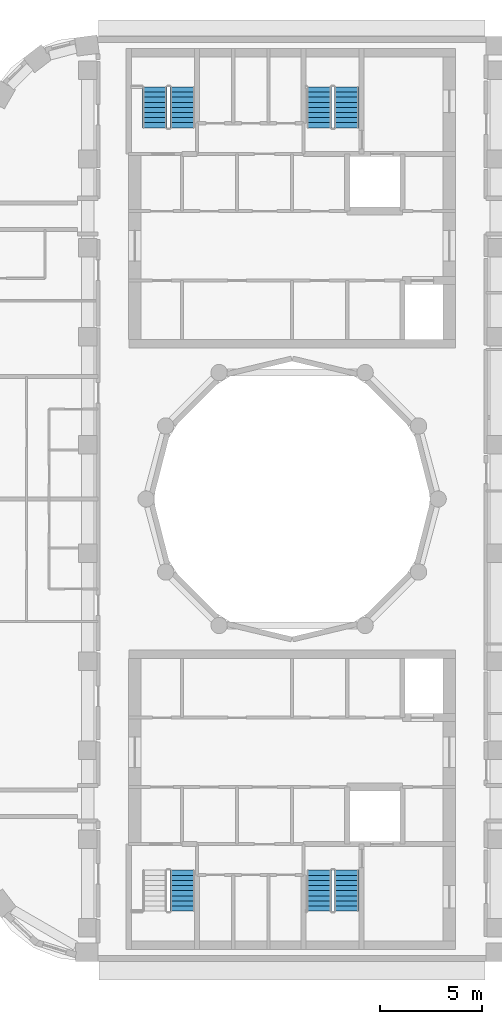
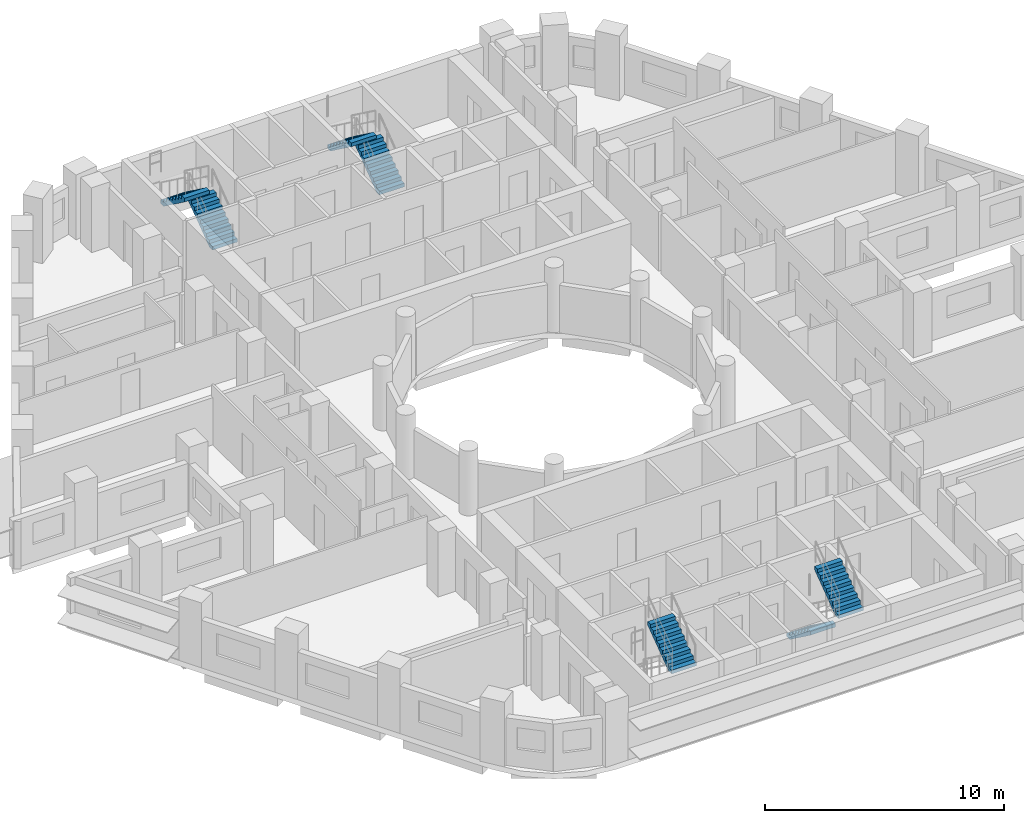
# One storey, part 9 of 12: 7 stair flights, 4 elements without a shape of their own.
"""IFC4 building model written with IfcOpenShell, lengths in metres."""

from ifc_helpers import new_model, si_unit, direction, frame, origin, place, context, subcontext, project, spatial, polyline, outline, extrude, material, type_object, element, aggregate, save


model = new_model("IFC4")

# Units and contexts
model_context = context("Model", 3, precision=1e-05, world=origin(), true_north=direction((0.0, 1.0)))
body_context = subcontext(model_context, "Body", "Model", "MODEL_VIEW")
ifc_project = project(units=[si_unit("LENGTHUNIT", "METRE"), si_unit("AREAUNIT", "SQUARE_METRE"), si_unit("VOLUMEUNIT", "CUBIC_METRE"), si_unit("PLANEANGLEUNIT", "RADIAN"), si_unit("MASSUNIT", "GRAM", prefix="KILO")], contexts=[model_context])

# Site, building, storey
site_placement = place(None, origin())
site = spatial("IfcSite", under=ifc_project, at=site_placement, CompositionType="ELEMENT")
building_placement = place(site_placement, origin())
building = spatial("IfcBuilding", under=site, at=building_placement, Name="Nakaniwa Court", CompositionType="ELEMENT")
storey_placement = place(building_placement, frame((0.0, 0.0, 255.89990234375)))
storey = spatial("IfcBuildingStorey", under=building, at=storey_placement, Name="L67", CompositionType="ELEMENT", Elevation=255.89990234375)

# Stair, stair flights
ifc_material = material(Name="Concrete C80/100", Category="concrete")
stair_type = type_object("IfcStairType", Name="Dog leg stair 1200 wide 18 risers", PredefinedType="HALF_TURN_STAIR", material=ifc_material)
stair_1_placement = place(storey_placement, origin())
stair_1 = element("IfcStair", 1, at=stair_1_placement, inside=storey, type_object=stair_type, Name="L67 Stair ST1", PredefinedType="HALF_TURN_STAIR")
stair_flight_type = type_object("IfcStairFlightType", Name="Stair flight 1200 wide 9 risers", PredefinedType="STRAIGHT", material=ifc_material)
stair_flight_1_placement = place(storey_placement, frame((74.625, 98.175048828125, 0.0), z_axis=(0.0, 0.0, 1.0), x_axis=(0.0, 1.0, 0.0)))
stair_flight_1 = element("IfcStairFlight", 2, at=stair_flight_1_placement, type_object=stair_flight_type, Name="ST1 flight 1", NumberOfRisers=9, NumberOfTreads=8, PredefinedType="STRAIGHT", RiserHeight=0.183333333, TreadLength=0.25, context=body_context, shape_type="SweptSolid", body=[
    extrude(outline(polyline([(0.0, 0.0), (0.0, 0.026123046875), (0.0, 0.052490234375), (0.0, 0.07861328125), (0.0, 0.104736328125), (0.0, 0.130859375), (0.0, 0.1572265625), (0.0, 0.183349609375), (0.25, 0.183349609375), (0.25, 0.36669921875), (0.5, 0.36669921875), (0.5, 0.550048828125), (0.75, 0.550048828125), (0.75, 0.7333984375), (1.0, 0.7333984375), (1.0, 0.916748046875), (1.25, 0.916748046875), (1.25, 1.10009765625), (1.5, 1.10009765625), (1.5, 1.283447265625), (1.75, 1.283447265625), (1.75, 1.466552734375), (2.0, 1.466552734375), (2.0, 1.64990234375), (2.0, 1.59716796875), (2.0, 1.54443359375), (2.0, 1.49169921875), (2.0, 1.43896484375), (2.0, 1.38623046875), (2.0, 1.33349609375), (2.0, 1.28076171875), (0.25341796875, 0.0), (0.0, 0.0)])), frame((0.0, 0.60009765625, 0.0), z_axis=(0.0, -1.0, 0.0), x_axis=(1.0, 0.0, 0.0)), (0.0, 0.0, 1.0), 1.199951171875),
])
stair_flight_2_placement = place(storey_placement, frame((73.27490234375, 100.175048828125, 1.650146484375), z_axis=(0.0, 0.0, 1.0), x_axis=(0.0, -1.0, 0.0)))
stair_flight_2 = element("IfcStairFlight", 3, at=stair_flight_2_placement, type_object=stair_flight_type, Name="ST1 flight 2", NumberOfRisers=9, NumberOfTreads=8, PredefinedType="STRAIGHT", RiserHeight=0.183333333, TreadLength=0.25, context=body_context, shape_type="SweptSolid", body=[
    extrude(outline(polyline([(0.0, 0.0), (0.0, 0.026123046875), (0.0, 0.052490234375), (0.0, 0.07861328125), (0.0, 0.104736328125), (0.0, 0.130859375), (0.0, 0.1572265625), (0.0, 0.183349609375), (0.25, 0.183349609375), (0.25, 0.36669921875), (0.5, 0.36669921875), (0.5, 0.550048828125), (0.75, 0.550048828125), (0.75, 0.7333984375), (1.0, 0.7333984375), (1.0, 0.916748046875), (1.25, 0.916748046875), (1.25, 1.10009765625), (1.5, 1.10009765625), (1.5, 1.283447265625), (1.75, 1.283447265625), (1.75, 1.466552734375), (2.0, 1.466552734375), (2.0, 1.64990234375), (2.0, 1.59716796875), (2.0, 1.54443359375), (2.0, 1.49169921875), (2.0, 1.43896484375), (2.0, 1.38623046875), (2.0, 1.33349609375), (2.0, 1.28076171875), (0.25341796875, 0.0), (0.0, 0.0)])), frame((0.0, 0.60009765625, 0.0), z_axis=(0.0, -1.0, 0.0), x_axis=(1.0, 0.0, 0.0)), (0.0, 0.0, 1.0), 1.199951171875),
])
aggregate(stair_1, [stair_flight_1, stair_flight_2])

stair_2_placement = place(storey_placement, origin())
stair_2 = element("IfcStair", 4, at=stair_2_placement, inside=storey, type_object=stair_type, Name="L67 Stair ST2", PredefinedType="HALF_TURN_STAIR")
stair_flight_3_placement = place(storey_placement, frame((82.675048828125, 98.175048828125, 0.0), z_axis=(0.0, 0.0, 1.0), x_axis=(0.0, 1.0, 0.0)))
stair_flight_3 = element("IfcStairFlight", 5, at=stair_flight_3_placement, type_object=stair_flight_type, Name="ST2 flight 1", NumberOfRisers=9, NumberOfTreads=8, PredefinedType="STRAIGHT", RiserHeight=0.183333333, TreadLength=0.25, context=body_context, shape_type="SweptSolid", body=[
    extrude(outline(polyline([(0.0, 0.0), (0.0, 0.026123046875), (0.0, 0.052490234375), (0.0, 0.07861328125), (0.0, 0.104736328125), (0.0, 0.130859375), (0.0, 0.1572265625), (0.0, 0.183349609375), (0.25, 0.183349609375), (0.25, 0.36669921875), (0.5, 0.36669921875), (0.5, 0.550048828125), (0.75, 0.550048828125), (0.75, 0.7333984375), (1.0, 0.7333984375), (1.0, 0.916748046875), (1.25, 0.916748046875), (1.25, 1.10009765625), (1.5, 1.10009765625), (1.5, 1.283447265625), (1.75, 1.283447265625), (1.75, 1.466552734375), (2.0, 1.466552734375), (2.0, 1.64990234375), (2.0, 1.59716796875), (2.0, 1.54443359375), (2.0, 1.49169921875), (2.0, 1.43896484375), (2.0, 1.38623046875), (2.0, 1.33349609375), (2.0, 1.28076171875), (0.25341796875, 0.0), (0.0, 0.0)])), frame((0.0, 0.60009765625, 0.0), z_axis=(0.0, -1.0, 0.0), x_axis=(1.0, 0.0, 0.0)), (0.0, 0.0, 1.0), 1.199951171875),
])
stair_flight_4_placement = place(storey_placement, frame((81.324951171875, 100.175048828125, 1.650146484375), z_axis=(0.0, 0.0, 1.0), x_axis=(0.0, -1.0, 0.0)))
stair_flight_4 = element("IfcStairFlight", 6, at=stair_flight_4_placement, type_object=stair_flight_type, Name="ST2 flight 2", NumberOfRisers=9, NumberOfTreads=8, PredefinedType="STRAIGHT", RiserHeight=0.183333333, TreadLength=0.25, context=body_context, shape_type="SweptSolid", body=[
    extrude(outline(polyline([(0.0, 0.0), (0.0, 0.026123046875), (0.0, 0.052490234375), (0.0, 0.07861328125), (0.0, 0.104736328125), (0.0, 0.130859375), (0.0, 0.1572265625), (0.0, 0.183349609375), (0.25, 0.183349609375), (0.25, 0.36669921875), (0.5, 0.36669921875), (0.5, 0.550048828125), (0.75, 0.550048828125), (0.75, 0.7333984375), (1.0, 0.7333984375), (1.0, 0.916748046875), (1.25, 0.916748046875), (1.25, 1.10009765625), (1.5, 1.10009765625), (1.5, 1.283447265625), (1.75, 1.283447265625), (1.75, 1.466552734375), (2.0, 1.466552734375), (2.0, 1.64990234375), (2.0, 1.59716796875), (2.0, 1.54443359375), (2.0, 1.49169921875), (2.0, 1.43896484375), (2.0, 1.38623046875), (2.0, 1.33349609375), (2.0, 1.28076171875), (0.25341796875, 0.0), (0.0, 0.0)])), frame((0.0, 0.60009765625, 0.0), z_axis=(0.0, -1.0, 0.0), x_axis=(1.0, 0.0, 0.0)), (0.0, 0.0, 1.0), 1.199951171875),
])
aggregate(stair_2, [stair_flight_3, stair_flight_4])

# Stair, stair flight
stair_3_placement = place(storey_placement, origin())
stair_3 = element("IfcStair", 7, at=stair_3_placement, inside=storey, type_object=stair_type, Name="L67 Stair ST3", PredefinedType="HALF_TURN_STAIR")
stair_flight_5_placement = place(storey_placement, frame((74.625, 59.824951171875, 1.650146484375), z_axis=(0.0, 0.0, 1.0), x_axis=(0.0, 1.0, 0.0)))
stair_flight_5 = element("IfcStairFlight", 8, at=stair_flight_5_placement, type_object=stair_flight_type, Name="ST3 flight 2", NumberOfRisers=9, NumberOfTreads=8, PredefinedType="STRAIGHT", RiserHeight=0.183333333, TreadLength=0.25, context=body_context, shape_type="SweptSolid", body=[
    extrude(outline(polyline([(0.0, 0.0), (0.0, 0.026123046875), (0.0, 0.052490234375), (0.0, 0.07861328125), (0.0, 0.104736328125), (0.0, 0.130859375), (0.0, 0.1572265625), (0.0, 0.183349609375), (0.25, 0.183349609375), (0.25, 0.36669921875), (0.5, 0.36669921875), (0.5, 0.550048828125), (0.75, 0.550048828125), (0.75, 0.7333984375), (1.0, 0.7333984375), (1.0, 0.916748046875), (1.25, 0.916748046875), (1.25, 1.10009765625), (1.5, 1.10009765625), (1.5, 1.283447265625), (1.75, 1.283447265625), (1.75, 1.466552734375), (2.0, 1.466552734375), (2.0, 1.64990234375), (2.0, 1.59716796875), (2.0, 1.54443359375), (2.0, 1.49169921875), (2.0, 1.43896484375), (2.0, 1.38623046875), (2.0, 1.33349609375), (2.0, 1.28076171875), (0.25341796875, 0.0), (0.0, 0.0)])), frame((0.0, 0.60009765625, 0.0), z_axis=(0.0, -1.0, 0.0), x_axis=(1.0, 0.0, 0.0)), (0.0, 0.0, 1.0), 1.199951171875),
])
aggregate(stair_3, [stair_flight_5])

# Stair, stair flights
stair_4_placement = place(storey_placement, origin())
stair_4 = element("IfcStair", 9, at=stair_4_placement, inside=storey, type_object=stair_type, Name="L67 Stair ST4", PredefinedType="HALF_TURN_STAIR")
stair_flight_6_placement = place(storey_placement, frame((81.324951171875, 61.824951171875, 0.0), z_axis=(0.0, 0.0, 1.0), x_axis=(0.0, -1.0, 0.0)))
stair_flight_6 = element("IfcStairFlight", 10, at=stair_flight_6_placement, type_object=stair_flight_type, Name="ST4 flight 1", NumberOfRisers=9, NumberOfTreads=8, PredefinedType="STRAIGHT", RiserHeight=0.183333333, TreadLength=0.25, context=body_context, shape_type="SweptSolid", body=[
    extrude(outline(polyline([(0.0, 0.0), (0.0, 0.026123046875), (0.0, 0.052490234375), (0.0, 0.07861328125), (0.0, 0.104736328125), (0.0, 0.130859375), (0.0, 0.1572265625), (0.0, 0.183349609375), (0.25, 0.183349609375), (0.25, 0.36669921875), (0.5, 0.36669921875), (0.5, 0.550048828125), (0.75, 0.550048828125), (0.75, 0.7333984375), (1.0, 0.7333984375), (1.0, 0.916748046875), (1.25, 0.916748046875), (1.25, 1.10009765625), (1.5, 1.10009765625), (1.5, 1.283447265625), (1.75, 1.283447265625), (1.75, 1.466552734375), (2.0, 1.466552734375), (2.0, 1.64990234375), (2.0, 1.59716796875), (2.0, 1.54443359375), (2.0, 1.49169921875), (2.0, 1.43896484375), (2.0, 1.38623046875), (2.0, 1.33349609375), (2.0, 1.28076171875), (0.25341796875, 0.0), (0.0, 0.0)])), frame((0.0, 0.60009765625, 0.0), z_axis=(0.0, -1.0, 0.0), x_axis=(1.0, 0.0, 0.0)), (0.0, 0.0, 1.0), 1.199951171875),
])
stair_flight_7_placement = place(storey_placement, frame((82.675048828125, 59.824951171875, 1.650146484375), z_axis=(0.0, 0.0, 1.0), x_axis=(0.0, 1.0, 0.0)))
stair_flight_7 = element("IfcStairFlight", 11, at=stair_flight_7_placement, type_object=stair_flight_type, Name="ST4 flight 2", NumberOfRisers=9, NumberOfTreads=8, PredefinedType="STRAIGHT", RiserHeight=0.183333333, TreadLength=0.25, context=body_context, shape_type="SweptSolid", body=[
    extrude(outline(polyline([(0.0, 0.0), (0.0, 0.026123046875), (0.0, 0.052490234375), (0.0, 0.07861328125), (0.0, 0.104736328125), (0.0, 0.130859375), (0.0, 0.1572265625), (0.0, 0.183349609375), (0.25, 0.183349609375), (0.25, 0.36669921875), (0.5, 0.36669921875), (0.5, 0.550048828125), (0.75, 0.550048828125), (0.75, 0.7333984375), (1.0, 0.7333984375), (1.0, 0.916748046875), (1.25, 0.916748046875), (1.25, 1.10009765625), (1.5, 1.10009765625), (1.5, 1.283447265625), (1.75, 1.283447265625), (1.75, 1.466552734375), (2.0, 1.466552734375), (2.0, 1.64990234375), (2.0, 1.59716796875), (2.0, 1.54443359375), (2.0, 1.49169921875), (2.0, 1.43896484375), (2.0, 1.38623046875), (2.0, 1.33349609375), (2.0, 1.28076171875), (0.25341796875, 0.0), (0.0, 0.0)])), frame((0.0, 0.60009765625, 0.0), z_axis=(0.0, -1.0, 0.0), x_axis=(1.0, 0.0, 0.0)), (0.0, 0.0, 1.0), 1.199951171875),
])
aggregate(stair_4, [stair_flight_6, stair_flight_7])

save(model, "model.ifc")
